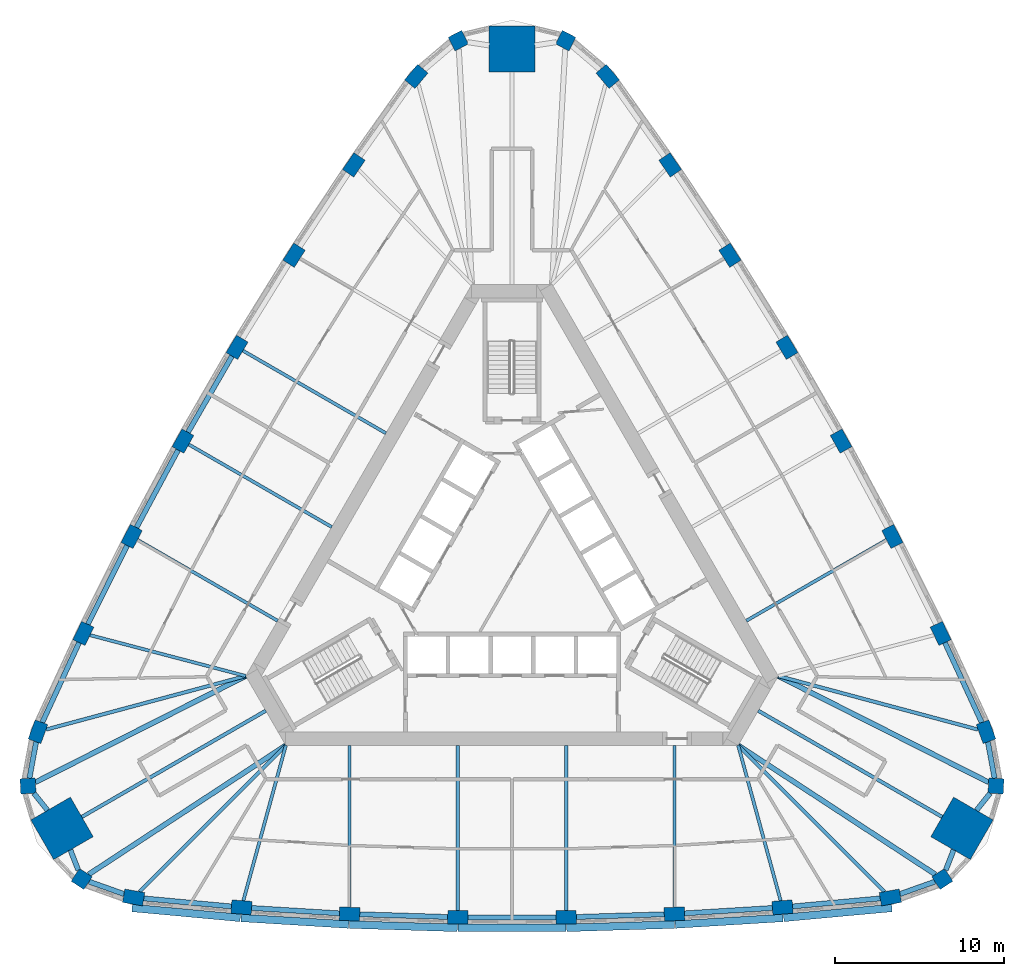
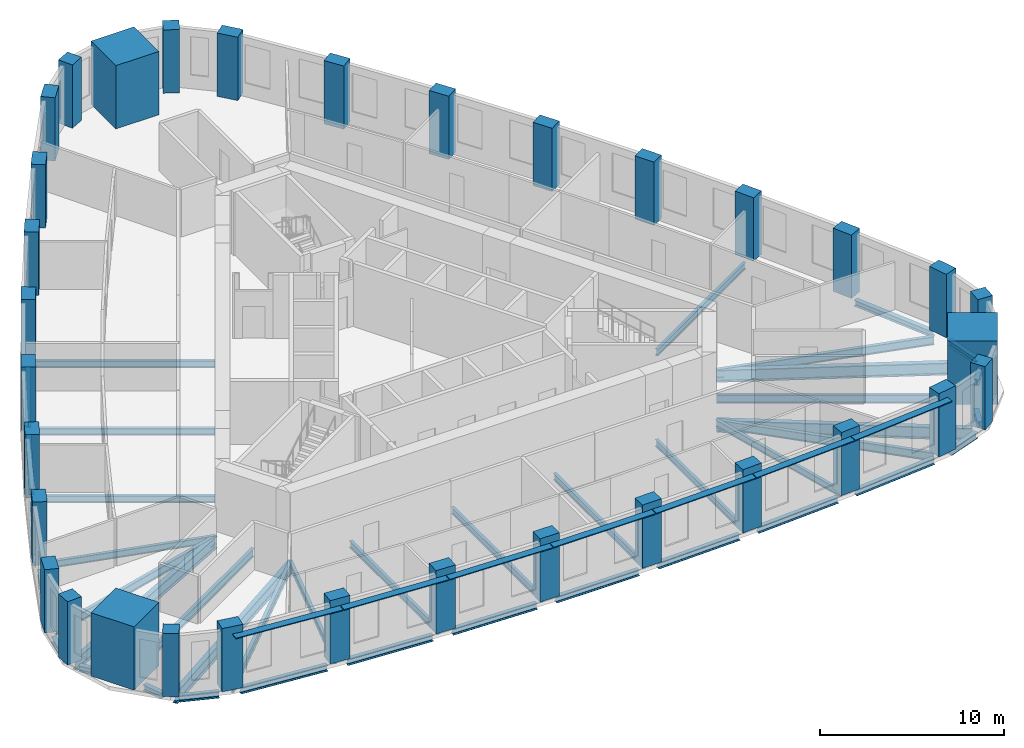
# One storey, part 1 of 10: 41 beams, 33 columns, 7 members.
"""IFC4 building model written with IfcOpenShell, lengths in metres."""

from ifc_helpers import new_model, si_unit, direction, frame, origin, origin_2d, place, context, subcontext, project, spatial, rectangle, i_section, extrude, material, material_profile, profile_set, type_object, element, save


model = new_model("IFC4")

# Units and contexts
model_context = context("Model", 3, precision=1e-05, world=origin(), true_north=direction((0.0, 1.0)))
body_context = subcontext(model_context, "Body", "Model", "MODEL_VIEW")
ifc_project = project(units=[si_unit("LENGTHUNIT", "METRE"), si_unit("AREAUNIT", "SQUARE_METRE"), si_unit("VOLUMEUNIT", "CUBIC_METRE"), si_unit("PLANEANGLEUNIT", "RADIAN"), si_unit("MASSUNIT", "GRAM", prefix="KILO")], contexts=[model_context])

# Site, building, storey
site_placement = place(None, origin())
site = spatial("IfcSite", under=ifc_project, at=site_placement, CompositionType="ELEMENT")
building_placement = place(site_placement, origin())
building = spatial("IfcBuilding", under=site, at=building_placement, Name="Mestral Congress Tower", CompositionType="ELEMENT")
storey_placement = place(building_placement, frame((0.0, 0.0, 162.60009765625)))
storey = spatial("IfcBuildingStorey", under=building, at=storey_placement, Name="L38", CompositionType="ELEMENT", Elevation=162.60009765625)

# Columns
ifc_material_1 = material(Name="Concrete C60/75", Category="concrete")
ifc_material_profile_1 = material_profile(ifc_material_1, rectangle(XDim=1.199951171875, YDim=0.800048828125, at=origin_2d()), Name="RC 1200x800")
ifc_profile_set_1 = profile_set([ifc_material_profile_1], Name="Concrete C60/75")
column_type_1 = type_object("IfcColumnType", Name="Column RC 1200x800 C60/75", PredefinedType="COLUMN", material=ifc_profile_set_1)
for number, where, z_axis, x_axis, name in (
    (1, (-22.357421875, -19.437255859375, 0.0), (0.0, 0.0, 1.0), (0.984571054206, -0.17498525429, 0.0), "COL-L38-C3-S00"),
    (2, (-15.984619140625, -20.0224609375, 0.0), (0.0, 0.0, 1.0), (0.997089725995, -0.076236987842, 0.0), "COL-L38-C3-S01"),
    (3, (-9.5966796875, -20.412841796875, 0.0), (0.0, 0.0, 1.0), (0.998951959915, -0.045770970953, 0.0), "COL-L38-C3-S02"),
    (4, (-3.199951171875, -20.608154296875, 0.0), (0.0, 0.0, 1.0), (0.999883524137, -0.015262311717, 0.0), "COL-L38-C3-S03"),
    (5, (3.199951171875, -20.608154296875, 0.0), (0.0, 0.0, 1.0), (0.999883524137, 0.015262311717, 0.0), "COL-L38-C3-S04"),
    (6, (9.5966796875, -20.412841796875, 0.0), (0.0, 0.0, 1.0), (0.998951959915, 0.045770970953, 0.0), "COL-L38-C3-S05"),
    (7, (15.984619140625, -20.0224609375, 0.0), (0.0, 0.0, 1.0), (0.997089725995, 0.076236987842, 0.0), "COL-L38-C3-S06"),
    (8, (22.357421875, -19.437255859375, 0.0), (0.0, 0.0, 1.0), (0.984571054206, 0.17498525429, 0.0), "COL-L38-C3-S07"),
    (9, (28.01171875, -9.6435546875, 0.0), (0.0, 0.0, 1.0), (-0.340743851601, 0.940156171918, 0.0), "COL-L38-C3-E00"),
    (10, (25.332275390625, -3.831787109375, 0.0), (0.0, 0.0, 1.0), (-0.432521694818, 0.901623526485, 0.0), "COL-L38-C3-E01"),
    (11, (22.476318359375, 1.8955078125, 0.0), (0.0, 0.0, 1.0), (-0.459837156356, 0.888003259923, 0.0), "COL-L38-C3-E02"),
    (12, (19.447265625, 7.532958984375, 0.0), (0.0, 0.0, 1.0), (-0.486724212401, 0.873555688587, 0.0), "COL-L38-C3-E03"),
    (13, (16.247314453125, 13.0751953125, 0.0), (0.0, 0.0, 1.0), (-0.513159311736, 0.85829337687, 0.0), "COL-L38-C3-E04"),
    (14, (12.8798828125, 18.517333984375, 0.0), (0.0, 0.0, 1.0), (-0.539114803559, 0.84223228897, 0.0), "COL-L38-C3-E05"),
    (15, (9.34765625, 23.854248046875, 0.0), (0.0, 0.0, 1.0), (-0.564568031177, 0.825386538643, 0.0), "COL-L38-C3-E06"),
    (16, (5.654296875, 29.080810546875, 0.0), (0.0, 0.0, 1.0), (-0.643827202606, 0.765170917629, 0.0), "COL-L38-C3-E07"),
    (17, (-5.654296875, 29.080810546875, 0.0), (0.0, 0.0, 1.0), (-0.643827202606, -0.765170917629, 0.0), "COL-L38-C3-W00"),
    (18, (-9.34765625, 23.854248046875, 0.0), (0.0, 0.0, 1.0), (-0.564568031177, -0.825386538643, 0.0), "COL-L38-C3-W01"),
    (19, (-12.8798828125, 18.517333984375, 0.0), (0.0, 0.0, 1.0), (-0.539114803559, -0.84223228897, 0.0), "COL-L38-C3-W02"),
    (20, (-16.247314453125, 13.0751953125, 0.0), (0.0, 0.0, 1.0), (-0.513159311736, -0.85829337687, 0.0), "COL-L38-C3-W03"),
    (21, (-19.447265625, 7.532958984375, 0.0), (0.0, 0.0, 1.0), (-0.486724212401, -0.873555688587, 0.0), "COL-L38-C3-W04"),
    (22, (-22.476318359375, 1.8955078125, 0.0), (0.0, 0.0, 1.0), (-0.459837156356, -0.888003259923, 0.0), "COL-L38-C3-W05"),
    (23, (-25.332275390625, -3.831787109375, 0.0), (0.0, 0.0, 1.0), (-0.432521694818, -0.901623526485, 0.0), "COL-L38-C3-W06"),
    (24, (-28.01171875, -9.6435546875, 0.0), (0.0, 0.0, 1.0), (-0.340743851601, -0.940156171918, 0.0), "COL-L38-C3-W07"),
):
    element("IfcColumn", number, at=place(storey_placement, frame(where, z_axis=z_axis, x_axis=x_axis)), inside=storey, type_object=column_type_1, Name=name, PredefinedType="COLUMN", context=body_context, shape_type="SweptSolid", body=[
        extrude(rectangle(XDim=1.199951171875, YDim=0.800048828125, at=origin_2d()), origin(), (0.0, 0.0, 1.0), 4.199951171875),
    ])
ifc_material_profile_2 = material_profile(ifc_material_1, rectangle(XDim=0.89990234375, YDim=0.89990234375, at=origin_2d()), Name="RC 900x900")
ifc_profile_set_2 = profile_set([ifc_material_profile_2], Name="Concrete C60/75")
column_type_2 = type_object("IfcColumnType", Name="Column RC 900x900 C60/75", PredefinedType="COLUMN", material=ifc_profile_set_2)
for number, where, z_axis, x_axis, name in (
    (25, (25.4296875, -18.34375, 0.0), (0.0, 0.0, 1.0), (0.838094050847, 0.545525766518, 0.0), "COL-L38-C3-SE1"),
    (26, (28.60107421875, -12.850830078125, 0.0), (0.0, 0.0, 1.0), (0.0533921468, 0.998573622053, 0.0), "COL-L38-C3-SE3"),
    (27, (3.17138671875, 31.194580078125, 0.0), (0.0, 0.0, 1.0), (-0.891486197647, 0.453047855535, 0.0), "COL-L38-C3-N1"),
    (28, (-3.17138671875, 31.194580078125, 0.0), (0.0, 0.0, 1.0), (-0.891486197647, -0.453047855535, 0.0), "COL-L38-C3-N3"),
    (29, (-28.60107421875, -12.850830078125, 0.0), (0.0, 0.0, 1.0), (0.0533921468, -0.998573622053, 0.0), "COL-L38-C3-SW1"),
    (30, (-25.4296875, -18.34375, 0.0), (0.0, 0.0, 1.0), (0.838094050847, -0.545525766518, 0.0), "COL-L38-C3-SW3"),
):
    element("IfcColumn", number, at=place(storey_placement, frame(where, z_axis=z_axis, x_axis=x_axis)), inside=storey, type_object=column_type_2, Name=name, PredefinedType="COLUMN", context=body_context, shape_type="SweptSolid", body=[
        extrude(rectangle(XDim=0.89990234375, YDim=0.89990234375, at=origin_2d()), origin(), (0.0, 0.0, 1.0), 4.199951171875),
    ])
ifc_material_2 = material(Name="Concrete C70/85", Category="concrete")
ifc_material_profile_3 = material_profile(ifc_material_2, rectangle(XDim=2.699951171875, YDim=2.699951171875, at=origin_2d()), Name="RC 2700x2700")
ifc_profile_set_3 = profile_set([ifc_material_profile_3], Name="Concrete C70/85")
column_type_3 = type_object("IfcColumnType", Name="Mega column RC 2700x2700 C70/85", PredefinedType="COLUMN", material=ifc_profile_set_3)
for number, where, z_axis, x_axis, name in (
    (31, (26.590576171875, -15.35205078125, 0.0), (0.0, 0.0, 1.0), (0.866025403784, -0.5, 0.0), "COL-L38-PY3-SE"),
    (32, (0.0, 30.7041015625, 0.0), (0.0, 0.0, 1.0), (0.0, 1.0, 0.0), "COL-L38-PY3-N"),
    (33, (-26.590576171875, -15.35205078125, 0.0), (0.0, 0.0, 1.0), (-0.866025403784, -0.5, 0.0), "COL-L38-PY3-SW"),
):
    element("IfcColumn", number, at=place(storey_placement, frame(where, z_axis=z_axis, x_axis=x_axis)), inside=storey, type_object=column_type_3, Name=name, PredefinedType="COLUMN", context=body_context, shape_type="SweptSolid", body=[
        extrude(rectangle(XDim=2.699951171875, YDim=2.699951171875, at=origin_2d()), origin(), (0.0, 0.0, 1.0), 4.199951171875),
    ])

# Members
ifc_material_3 = material(Name="Glazed ceramic", Category="masonry")
ifc_material_profile_4 = material_profile(ifc_material_3, rectangle(XDim=0.449951171875, YDim=0.06005859375, at=origin_2d()), Name="Ceramic blade 450 x 60")
ifc_profile_set_4 = profile_set([ifc_material_profile_4], Name="Glazed ceramic")
member_type = type_object("IfcMemberType", Name="Facade sunshade blade 450 x 60", PredefinedType="USERDEFINED", material=ifc_profile_set_4)
member_1_placement = place(storey_placement, frame((-22.451171875, -20.05615234375, 3.679931640625), z_axis=(0.995809919347, -0.091447277326, 0.0), x_axis=(0.091447277326, 0.995809919347, 0.0)))
element("IfcMember", 34, at=member_1_placement, inside=storey, type_object=member_type, Name="Sunshade F0-00", ObjectType="SUNSHADE", PredefinedType="USERDEFINED", context=body_context, shape_type="SweptSolid", body=[
    extrude(rectangle(XDim=0.449951171875, YDim=0.06005859375, at=origin_2d()), origin(), (0.0, 0.0, 1.0), 6.42333984375),
])
member_2_placement = place(storey_placement, frame((-16.009521484375, -20.647216796875, 3.679931640625), z_axis=(0.998138940399, -0.06098078107, 0.0), x_axis=(0.06098078107, 0.998138940399, 0.0)))
element("IfcMember", 35, at=member_2_placement, inside=storey, type_object=member_type, Name="Sunshade F0-01", ObjectType="SUNSHADE", PredefinedType="USERDEFINED", context=body_context, shape_type="SweptSolid", body=[
    extrude(rectangle(XDim=0.449951171875, YDim=0.06005859375, at=origin_2d()), origin(), (0.0, 0.0, 1.0), 6.373779296875),
])
for number, where, z_axis, x_axis, name in (
    (36, (-9.6025390625, -21.0380859375, 3.679931640625), (0.999535044007, -0.03049091343, 0.0), (0.03049091343, 0.999535044007, 0.0), "Sunshade F0-02"),
    (37, (-3.186767578125, -21.233154296875, 3.679931640625), (1.0, 0.0, 0.0), (0.0, 1.0, 0.0), "Sunshade F0-03"),
    (38, (3.23193359375, -21.232421875, 3.679931640625), (0.999535044007, 0.03049091343, 0.0), (-0.03049091343, 0.999535044007, 0.0), "Sunshade F0-04"),
):
    element("IfcMember", number, at=place(storey_placement, frame(where, z_axis=z_axis, x_axis=x_axis)), inside=storey, type_object=member_type, Name=name, ObjectType="SUNSHADE", PredefinedType="USERDEFINED", context=body_context, shape_type="SweptSolid", body=[
        extrude(rectangle(XDim=0.449951171875, YDim=0.06005859375, at=origin_2d()), origin(), (0.0, 0.0, 1.0), 6.37353515625),
    ])
member_3_placement = place(storey_placement, frame((9.647705078125, -21.035888671875, 3.679931640625), z_axis=(0.998138940399, 0.06098078107, 0.0), x_axis=(-0.06098078107, 0.998138940399, 0.0)))
element("IfcMember", 39, at=member_3_placement, inside=storey, type_object=member_type, Name="Sunshade F0-05", ObjectType="SUNSHADE", PredefinedType="USERDEFINED", context=body_context, shape_type="SweptSolid", body=[
    extrude(rectangle(XDim=0.449951171875, YDim=0.06005859375, at=origin_2d()), origin(), (0.0, 0.0, 1.0), 6.373779296875),
])
member_4_placement = place(storey_placement, frame((16.0546875, -20.6435546875, 3.679931640625), z_axis=(0.995809919347, 0.091447277326, 0.0), x_axis=(-0.091447277326, 0.995809919347, 0.0)))
element("IfcMember", 40, at=member_4_placement, inside=storey, type_object=member_type, Name="Sunshade F0-06", ObjectType="SUNSHADE", PredefinedType="USERDEFINED", context=body_context, shape_type="SweptSolid", body=[
    extrude(rectangle(XDim=0.449951171875, YDim=0.06005859375, at=origin_2d()), origin(), (0.0, 0.0, 1.0), 6.42333984375),
])

# Beams
ifc_material_4 = material(Name="Steel S355", Category="steel")
ifc_material_profile_5 = material_profile(ifc_material_4, i_section(OverallWidth=0.300048828125, OverallDepth=0.800048828125, WebThickness=0.017578125, FlangeThickness=0.032958984375, FilletRadius=0.030029296875, at=origin_2d()), Name="HEB 800")
ifc_profile_set_5 = profile_set([ifc_material_profile_5], Name="Steel S355")
beam_type_1 = type_object("IfcBeamType", Name="Floor beam HEB 800 S355", PredefinedType="BEAM", material=ifc_profile_set_5)
beam_1_placement = place(storey_placement, frame((25.018310546875, -18.07470703125, -0.650146484375), z_axis=(-0.836780237492, 0.547538888247, 0.0), x_axis=(-0.547538888247, -0.836780237492, 0.0)))
element("IfcBeam", 41, at=beam_1_placement, inside=storey, type_object=beam_type_1, Name="BM-L38-RB3-SE1", PredefinedType="BEAM", context=body_context, shape_type="SweptSolid", body=[
    extrude(i_section(OverallWidth=0.300048828125, OverallDepth=0.800048828125, WebThickness=0.017578125, FlangeThickness=0.032958984375, FilletRadius=0.030029296875, at=origin_2d()), origin(), (0.0, 0.0, 1.0), 13.925537109375),
])
for number, where, z_axis, x_axis, name in (
    (42, (28.162109375, -12.629150390625, -0.650146484375), (-0.892568118133, 0.450912579656, 0.0), (-0.450912579656, -0.892568118133, 0.0), "BM-L38-RB3-SE3"),
    (43, (-28.162109375, -12.629150390625, -0.650146484375), (0.892568118133, 0.450912579656, 0.0), (-0.450912579656, 0.892568118133, 0.0), "BM-L38-RB3-SW1"),
):
    element("IfcBeam", number, at=place(storey_placement, frame(where, z_axis=z_axis, x_axis=x_axis)), inside=storey, type_object=beam_type_1, Name=name, PredefinedType="BEAM", context=body_context, shape_type="SweptSolid", body=[
        extrude(i_section(OverallWidth=0.300048828125, OverallDepth=0.800048828125, WebThickness=0.017578125, FlangeThickness=0.032958984375, FilletRadius=0.030029296875, at=origin_2d()), origin(), (0.0, 0.0, 1.0), 13.92529296875),
    ])
beam_2_placement = place(storey_placement, frame((-25.018310546875, -18.07470703125, -0.650146484375), z_axis=(0.836780237492, 0.547538888247, 0.0), x_axis=(-0.547538888247, 0.836780237492, 0.0)))
element("IfcBeam", 44, at=beam_2_placement, inside=storey, type_object=beam_type_1, Name="BM-L38-RB3-SW3", PredefinedType="BEAM", context=body_context, shape_type="SweptSolid", body=[
    extrude(i_section(OverallWidth=0.300048828125, OverallDepth=0.800048828125, WebThickness=0.017578125, FlangeThickness=0.032958984375, FilletRadius=0.030029296875, at=origin_2d()), origin(), (0.0, 0.0, 1.0), 13.925537109375),
])
ifc_material_profile_6 = material_profile(ifc_material_4, i_section(OverallWidth=0.18994140625, OverallDepth=0.449951171875, WebThickness=0.009521484375, FlangeThickness=0.0146484375, FilletRadius=0.02099609375, at=origin_2d()), Name="IPE 450")
ifc_profile_set_6 = profile_set([ifc_material_profile_6], Name="Steel S355")
beam_type_2 = type_object("IfcBeamType", Name="Floor beam IPE 450 S355", PredefinedType="BEAM", material=ifc_profile_set_6)
beam_3_placement = place(storey_placement, frame((-15.876953125, -19.62939453125, -0.47509765625), z_axis=(0.263874900873, 0.964556912105, 0.0), x_axis=(-0.964556912105, 0.263874900873, 0.0)))
element("IfcBeam", 45, at=beam_3_placement, inside=storey, type_object=beam_type_2, Name="BM-L38-RB3-S01", PredefinedType="BEAM", context=body_context, shape_type="SweptSolid", body=[
    extrude(i_section(OverallWidth=0.18994140625, OverallDepth=0.449951171875, WebThickness=0.009521484375, FlangeThickness=0.0146484375, FilletRadius=0.02099609375, at=origin_2d()), origin(), (0.0, 0.0, 1.0), 9.516845703125),
])
beam_4_placement = place(storey_placement, frame((-9.5966796875, -20.012451171875, -0.47509765625), z_axis=(0.0, 1.0, 0.0), x_axis=(-1.0, 0.0, 0.0)))
element("IfcBeam", 46, at=beam_4_placement, inside=storey, type_object=beam_type_2, Name="BM-L38-RB3-S02", PredefinedType="BEAM", context=body_context, shape_type="SweptSolid", body=[
    extrude(i_section(OverallWidth=0.18994140625, OverallDepth=0.449951171875, WebThickness=0.009521484375, FlangeThickness=0.0146484375, FilletRadius=0.02099609375, at=origin_2d()), origin(), (0.0, 0.0, 1.0), 9.5625),
])
for number, where, z_axis, x_axis, name in (
    (47, (-3.199951171875, -20.208251953125, -0.47509765625), (0.0, 1.0, 0.0), (-1.0, 0.0, 0.0), "BM-L38-RB3-S03"),
    (48, (3.199951171875, -20.208251953125, -0.47509765625), (0.0, 1.0, 0.0), (-1.0, 0.0, 0.0), "BM-L38-RB3-S04"),
):
    element("IfcBeam", number, at=place(storey_placement, frame(where, z_axis=z_axis, x_axis=x_axis)), inside=storey, type_object=beam_type_2, Name=name, PredefinedType="BEAM", context=body_context, shape_type="SweptSolid", body=[
        extrude(i_section(OverallWidth=0.18994140625, OverallDepth=0.449951171875, WebThickness=0.009521484375, FlangeThickness=0.0146484375, FilletRadius=0.02099609375, at=origin_2d()), origin(), (0.0, 0.0, 1.0), 9.75830078125),
    ])
beam_5_placement = place(storey_placement, frame((9.5966796875, -20.012451171875, -0.47509765625), z_axis=(0.0, 1.0, 0.0), x_axis=(-1.0, 0.0, 0.0)))
element("IfcBeam", 49, at=beam_5_placement, inside=storey, type_object=beam_type_2, Name="BM-L38-RB3-S05", PredefinedType="BEAM", context=body_context, shape_type="SweptSolid", body=[
    extrude(i_section(OverallWidth=0.18994140625, OverallDepth=0.449951171875, WebThickness=0.009521484375, FlangeThickness=0.0146484375, FilletRadius=0.02099609375, at=origin_2d()), origin(), (0.0, 0.0, 1.0), 9.5625),
])
beam_6_placement = place(storey_placement, frame((15.876953125, -19.62939453125, -0.47509765625), z_axis=(-0.263874900873, 0.964556912105, 0.0), x_axis=(-0.964556912105, -0.263874900873, 0.0)))
element("IfcBeam", 50, at=beam_6_placement, inside=storey, type_object=beam_type_2, Name="BM-L38-RB3-S06", PredefinedType="BEAM", context=body_context, shape_type="SweptSolid", body=[
    extrude(i_section(OverallWidth=0.18994140625, OverallDepth=0.449951171875, WebThickness=0.009521484375, FlangeThickness=0.0146484375, FilletRadius=0.02099609375, at=origin_2d()), origin(), (0.0, 0.0, 1.0), 9.516845703125),
])
beam_7_placement = place(storey_placement, frame((22.129638671875, 1.6953125, -0.47509765625), z_axis=(-0.866022320763, -0.500005339912, 0.0), x_axis=(0.500005339912, -0.866022320763, 0.0)))
element("IfcBeam", 51, at=beam_7_placement, inside=storey, type_object=beam_type_2, Name="BM-L38-RB3-E02", PredefinedType="BEAM", context=body_context, shape_type="SweptSolid", body=[
    extrude(i_section(OverallWidth=0.18994140625, OverallDepth=0.449951171875, WebThickness=0.009521484375, FlangeThickness=0.0146484375, FilletRadius=0.02099609375, at=origin_2d()), origin(), (0.0, 0.0, 1.0), 9.5625),
])
beam_8_placement = place(storey_placement, frame((-15.90087890625, 12.875244140625, -0.47509765625), z_axis=(0.866025182435, -0.500000383388, 0.0), x_axis=(0.500000383388, 0.866025182435, 0.0)))
element("IfcBeam", 52, at=beam_8_placement, inside=storey, type_object=beam_type_2, Name="BM-L38-RB3-W03", PredefinedType="BEAM", context=body_context, shape_type="SweptSolid", body=[
    extrude(i_section(OverallWidth=0.18994140625, OverallDepth=0.449951171875, WebThickness=0.009521484375, FlangeThickness=0.0146484375, FilletRadius=0.02099609375, at=origin_2d()), origin(), (0.0, 0.0, 1.0), 9.75830078125),
])
beam_9_placement = place(storey_placement, frame((-19.100830078125, 7.332763671875, -0.47509765625), z_axis=(0.866036015824, -0.499981618958, 0.0), x_axis=(0.499981618958, 0.866036015824, 0.0)))
element("IfcBeam", 53, at=beam_9_placement, inside=storey, type_object=beam_type_2, Name="BM-L38-RB3-W04", PredefinedType="BEAM", context=body_context, shape_type="SweptSolid", body=[
    extrude(i_section(OverallWidth=0.18994140625, OverallDepth=0.449951171875, WebThickness=0.009521484375, FlangeThickness=0.0146484375, FilletRadius=0.02099609375, at=origin_2d()), origin(), (0.0, 0.0, 1.0), 9.758056640625),
])
beam_10_placement = place(storey_placement, frame((-22.129638671875, 1.6953125, -0.47509765625), z_axis=(0.866022320763, -0.500005339912, 0.0), x_axis=(0.500005339912, 0.866022320763, 0.0)))
element("IfcBeam", 54, at=beam_10_placement, inside=storey, type_object=beam_type_2, Name="BM-L38-RB3-W05", PredefinedType="BEAM", context=body_context, shape_type="SweptSolid", body=[
    extrude(i_section(OverallWidth=0.18994140625, OverallDepth=0.449951171875, WebThickness=0.009521484375, FlangeThickness=0.0146484375, FilletRadius=0.02099609375, at=origin_2d()), origin(), (0.0, 0.0, 1.0), 9.5625),
])
beam_11_placement = place(storey_placement, frame((-24.938232421875, -3.93505859375, -0.47509765625), z_axis=(0.967265999603, -0.253764627187, 0.0), x_axis=(0.253764627187, 0.967265999603, 0.0)))
element("IfcBeam", 55, at=beam_11_placement, inside=storey, type_object=beam_type_2, Name="BM-L38-RB3-W06", PredefinedType="BEAM", context=body_context, shape_type="SweptSolid", body=[
    extrude(i_section(OverallWidth=0.18994140625, OverallDepth=0.449951171875, WebThickness=0.009521484375, FlangeThickness=0.0146484375, FilletRadius=0.02099609375, at=origin_2d()), origin(), (0.0, 0.0, 1.0), 9.516845703125),
])
ifc_material_profile_7 = material_profile(ifc_material_4, i_section(OverallWidth=0.2099609375, OverallDepth=0.550048828125, WebThickness=0.010986328125, FlangeThickness=0.01708984375, FilletRadius=0.02392578125, at=origin_2d()), Name="IPE 550")
ifc_profile_set_7 = profile_set([ifc_material_profile_7], Name="Steel S355")
beam_type_3 = type_object("IfcBeamType", Name="Floor beam IPE 550 S355", PredefinedType="BEAM", material=ifc_profile_set_7)
for number, where, z_axis, x_axis, name in (
    (56, (-22.01220703125, -19.09228515625, -0.525146484375), (0.707276510369, 0.706937011254, 0.0), (-0.706937011254, 0.707276510369, 0.0), "BM-L38-RB3-S00"),
    (57, (22.01220703125, -19.09228515625, -0.525146484375), (-0.707276510369, 0.706937011254, 0.0), (-0.706937011254, -0.707276510369, 0.0), "BM-L38-RB3-S07"),
):
    element("IfcBeam", number, at=place(storey_placement, frame(where, z_axis=z_axis, x_axis=x_axis)), inside=storey, type_object=beam_type_3, Name=name, PredefinedType="BEAM", context=body_context, shape_type="SweptSolid", body=[
        extrude(i_section(OverallWidth=0.2099609375, OverallDepth=0.550048828125, WebThickness=0.010986328125, FlangeThickness=0.01708984375, FilletRadius=0.02392578125, at=origin_2d()), origin(), (0.0, 0.0, 1.0), 12.22509765625),
    ])
beam_12_placement = place(storey_placement, frame((25.42138671875, -14.677001953125, -0.525146484375), z_axis=(-0.866034999462, 0.49998337943, 0.0), x_axis=(-0.49998337943, -0.866034999462, 0.0)))
element("IfcBeam", 58, at=beam_12_placement, inside=storey, type_object=beam_type_3, Name="BM-L38-RB3-SE", PredefinedType="BEAM", context=body_context, shape_type="SweptSolid", body=[
    extrude(i_section(OverallWidth=0.2099609375, OverallDepth=0.550048828125, WebThickness=0.010986328125, FlangeThickness=0.01708984375, FilletRadius=0.02392578125, at=origin_2d()), origin(), (0.0, 0.0, 1.0), 12.55419921875),
])
for number, where, z_axis, x_axis, name in (
    (59, (27.54052734375, -9.51708984375, -0.525146484375), (-0.965861364708, 0.259059499276, 0.0), (-0.259059499276, -0.965861364708, 0.0), "BM-L38-RB3-E00"),
    (60, (-27.54052734375, -9.51708984375, -0.525146484375), (0.965861364708, 0.259059499276, 0.0), (-0.259059499276, 0.965861364708, 0.0), "BM-L38-RB3-W07"),
):
    element("IfcBeam", number, at=place(storey_placement, frame(where, z_axis=z_axis, x_axis=x_axis)), inside=storey, type_object=beam_type_3, Name=name, PredefinedType="BEAM", context=body_context, shape_type="SweptSolid", body=[
        extrude(i_section(OverallWidth=0.2099609375, OverallDepth=0.550048828125, WebThickness=0.010986328125, FlangeThickness=0.01708984375, FilletRadius=0.02392578125, at=origin_2d()), origin(), (0.0, 0.0, 1.0), 12.224853515625),
    ])
beam_13_placement = place(storey_placement, frame((-25.42138671875, -14.677001953125, -0.525146484375), z_axis=(0.866034999462, 0.49998337943, 0.0), x_axis=(-0.49998337943, 0.866034999462, 0.0)))
element("IfcBeam", 61, at=beam_13_placement, inside=storey, type_object=beam_type_3, Name="BM-L38-RB3-SW", PredefinedType="BEAM", context=body_context, shape_type="SweptSolid", body=[
    extrude(i_section(OverallWidth=0.2099609375, OverallDepth=0.550048828125, WebThickness=0.010986328125, FlangeThickness=0.01708984375, FilletRadius=0.02392578125, at=origin_2d()), origin(), (0.0, 0.0, 1.0), 12.55419921875),
])
ifc_material_profile_8 = material_profile(ifc_material_4, i_section(OverallWidth=0.300048828125, OverallDepth=0.389892578125, WebThickness=0.010986328125, FlangeThickness=0.01904296875, FilletRadius=0.027099609375, at=origin_2d()), Name="HEA 400")
ifc_profile_set_8 = profile_set([ifc_material_profile_8], Name="Steel S355")
beam_type_4 = type_object("IfcBeamType", Name="Spandrel beam HEA 400 S355", PredefinedType="BEAM", material=ifc_profile_set_8)
beam_14_placement = place(storey_placement, frame((-21.7578125, -19.4921875, -0.445068359375), z_axis=(0.995809233617, -0.091454744238, 0.0), x_axis=(0.091454744238, 0.995809233617, 0.0)))
element("IfcBeam", 62, at=beam_14_placement, inside=storey, type_object=beam_type_4, Name="SP-L38-SB3-S00", PredefinedType="BEAM", context=body_context, shape_type="SweptSolid", body=[
    extrude(i_section(OverallWidth=0.300048828125, OverallDepth=0.389892578125, WebThickness=0.010986328125, FlangeThickness=0.01904296875, FilletRadius=0.027099609375, at=origin_2d()), origin(), (0.0, 0.0, 1.0), 5.197509765625),
])
beam_15_placement = place(storey_placement, frame((-15.385498046875, -20.05908203125, -0.445068359375), z_axis=(0.998138215809, -0.060992640057, 0.0), x_axis=(0.060992640057, 0.998138215809, 0.0)))
element("IfcBeam", 63, at=beam_15_placement, inside=storey, type_object=beam_type_4, Name="SP-L38-SB3-S01", PredefinedType="BEAM", context=body_context, shape_type="SweptSolid", body=[
    extrude(i_section(OverallWidth=0.300048828125, OverallDepth=0.389892578125, WebThickness=0.010986328125, FlangeThickness=0.01904296875, FilletRadius=0.027099609375, at=origin_2d()), origin(), (0.0, 0.0, 1.0), 5.19970703125),
])
beam_16_placement = place(storey_placement, frame((-8.996826171875, -20.43115234375, -0.445068359375), z_axis=(0.999534130554, -0.030520842996, 0.0), x_axis=(0.030520842996, 0.999534130554, 0.0)))
element("IfcBeam", 64, at=beam_16_placement, inside=storey, type_object=beam_type_4, Name="SP-L38-SB3-S02", PredefinedType="BEAM", context=body_context, shape_type="SweptSolid", body=[
    extrude(i_section(OverallWidth=0.300048828125, OverallDepth=0.389892578125, WebThickness=0.010986328125, FlangeThickness=0.01904296875, FilletRadius=0.027099609375, at=origin_2d()), origin(), (0.0, 0.0, 1.0), 5.199462890625),
])
beam_17_placement = place(storey_placement, frame((-2.599853515625, -20.608154296875, -0.445068359375), z_axis=(1.0, 0.0, 0.0), x_axis=(0.0, 1.0, 0.0)))
element("IfcBeam", 65, at=beam_17_placement, inside=storey, type_object=beam_type_4, Name="SP-L38-SB3-S03", PredefinedType="BEAM", context=body_context, shape_type="SweptSolid", body=[
    extrude(i_section(OverallWidth=0.300048828125, OverallDepth=0.389892578125, WebThickness=0.010986328125, FlangeThickness=0.01904296875, FilletRadius=0.027099609375, at=origin_2d()), origin(), (0.0, 0.0, 1.0), 5.19970703125),
])
beam_18_placement = place(storey_placement, frame((3.7998046875, -20.58984375, -0.445068359375), z_axis=(0.999534130554, 0.030520842996, 0.0), x_axis=(-0.030520842996, 0.999534130554, 0.0)))
element("IfcBeam", 66, at=beam_18_placement, inside=storey, type_object=beam_type_4, Name="SP-L38-SB3-S04", PredefinedType="BEAM", context=body_context, shape_type="SweptSolid", body=[
    extrude(i_section(OverallWidth=0.300048828125, OverallDepth=0.389892578125, WebThickness=0.010986328125, FlangeThickness=0.01904296875, FilletRadius=0.027099609375, at=origin_2d()), origin(), (0.0, 0.0, 1.0), 5.199462890625),
])
beam_19_placement = place(storey_placement, frame((10.195556640625, -20.376220703125, -0.445068359375), z_axis=(0.998138215809, 0.060992640057, 0.0), x_axis=(-0.060992640057, 0.998138215809, 0.0)))
element("IfcBeam", 67, at=beam_19_placement, inside=storey, type_object=beam_type_4, Name="SP-L38-SB3-S05", PredefinedType="BEAM", context=body_context, shape_type="SweptSolid", body=[
    extrude(i_section(OverallWidth=0.300048828125, OverallDepth=0.389892578125, WebThickness=0.010986328125, FlangeThickness=0.01904296875, FilletRadius=0.027099609375, at=origin_2d()), origin(), (0.0, 0.0, 1.0), 5.19970703125),
])
beam_20_placement = place(storey_placement, frame((16.58203125, -19.967529296875, -0.445068359375), z_axis=(0.995809233617, 0.091454744238, 0.0), x_axis=(-0.091454744238, 0.995809233617, 0.0)))
element("IfcBeam", 68, at=beam_20_placement, inside=storey, type_object=beam_type_4, Name="SP-L38-SB3-S06", PredefinedType="BEAM", context=body_context, shape_type="SweptSolid", body=[
    extrude(i_section(OverallWidth=0.300048828125, OverallDepth=0.389892578125, WebThickness=0.010986328125, FlangeThickness=0.01904296875, FilletRadius=0.027099609375, at=origin_2d()), origin(), (0.0, 0.0, 1.0), 5.197509765625),
])
beam_21_placement = place(storey_placement, frame((22.9306640625, -19.233154296875, -0.445068359375), z_axis=(0.942124718118, 0.33526260679, 0.0), x_axis=(-0.33526260679, 0.942124718118, 0.0)))
element("IfcBeam", 69, at=beam_21_placement, inside=storey, type_object=beam_type_4, Name="SP-L38-SB3-S07", PredefinedType="BEAM", context=body_context, shape_type="SweptSolid", body=[
    extrude(i_section(OverallWidth=0.300048828125, OverallDepth=0.389892578125, WebThickness=0.010986328125, FlangeThickness=0.01904296875, FilletRadius=0.027099609375, at=origin_2d()), origin(), (0.0, 0.0, 1.0), 2.189697265625),
])
for number, where, z_axis, x_axis, name in (
    (70, (25.630126953125, -17.826904296875, -0.445068359375), (0.361897583915, 0.932217860136, 0.0), (-0.932217860136, 0.361897583915, 0.0), "SP-L38-SB3-SE1"),
    (71, (27.446533203125, -14.287353515625, -0.445068359375), (0.626403443736, 0.779499022242, 0.0), (-0.779499022242, 0.626403443736, 0.0), "SP-L38-SB3-SE"),
):
    element("IfcBeam", number, at=place(storey_placement, frame(where, z_axis=z_axis, x_axis=x_axis)), inside=storey, type_object=beam_type_4, Name=name, PredefinedType="BEAM", context=body_context, shape_type="SweptSolid", body=[
        extrude(i_section(OverallWidth=0.300048828125, OverallDepth=0.389892578125, WebThickness=0.010986328125, FlangeThickness=0.01904296875, FilletRadius=0.027099609375, at=origin_2d()), origin(), (0.0, 0.0, 1.0), 1.28857421875),
    ])
beam_22_placement = place(storey_placement, frame((28.517333984375, -12.395751953125, -0.445068359375), z_axis=(-0.18061190167, 0.983554442304, 0.0), x_axis=(-0.983554442304, -0.18061190167, 0.0)))
element("IfcBeam", 72, at=beam_22_placement, inside=storey, type_object=beam_type_4, Name="SP-L38-SB3-SE3", PredefinedType="BEAM", context=body_context, shape_type="SweptSolid", body=[
    extrude(i_section(OverallWidth=0.300048828125, OverallDepth=0.389892578125, WebThickness=0.010986328125, FlangeThickness=0.01904296875, FilletRadius=0.027099609375, at=origin_2d()), origin(), (0.0, 0.0, 1.0), 2.18994140625),
])
beam_23_placement = place(storey_placement, frame((27.759765625, -9.0966796875, -0.445068359375), z_axis=(-0.418712613032, 0.908118796022, 0.0), x_axis=(-0.908118796022, -0.418712613032, 0.0)))
element("IfcBeam", 73, at=beam_23_placement, inside=storey, type_object=beam_type_4, Name="SP-L38-SB3-E00", PredefinedType="BEAM", context=body_context, shape_type="SweptSolid", body=[
    extrude(i_section(OverallWidth=0.300048828125, OverallDepth=0.389892578125, WebThickness=0.010986328125, FlangeThickness=0.01904296875, FilletRadius=0.027099609375, at=origin_2d()), origin(), (0.0, 0.0, 1.0), 5.197509765625),
])
for number, where, z_axis, x_axis, name in (
    (74, (-16.54736328125, 12.5556640625, -0.445068359375), (-0.499992051641, -0.866029992723, 0.0), (0.866029992723, -0.499992051641, 0.0), "SP-L38-SB3-W03"),
    (75, (-19.731201171875, 7.00439453125, -0.445068359375), (-0.473332458078, -0.880883865291, 0.0), (0.880883865291, -0.473332458078, 0.0), "SP-L38-SB3-W04"),
):
    element("IfcBeam", number, at=place(storey_placement, frame(where, z_axis=z_axis, x_axis=x_axis)), inside=storey, type_object=beam_type_4, Name=name, PredefinedType="BEAM", context=body_context, shape_type="SweptSolid", body=[
        extrude(i_section(OverallWidth=0.300048828125, OverallDepth=0.389892578125, WebThickness=0.010986328125, FlangeThickness=0.01904296875, FilletRadius=0.027099609375, at=origin_2d()), origin(), (0.0, 0.0, 1.0), 5.19970703125),
    ])
beam_24_placement = place(storey_placement, frame((-22.744140625, 1.3583984375, -0.445068359375), z_axis=(-0.446255467462, -0.894905613884, 0.0), x_axis=(0.894905613884, -0.446255467462, 0.0)))
element("IfcBeam", 76, at=beam_24_placement, inside=storey, type_object=beam_type_4, Name="SP-L38-SB3-W05", PredefinedType="BEAM", context=body_context, shape_type="SweptSolid", body=[
    extrude(i_section(OverallWidth=0.300048828125, OverallDepth=0.389892578125, WebThickness=0.010986328125, FlangeThickness=0.01904296875, FilletRadius=0.027099609375, at=origin_2d()), origin(), (0.0, 0.0, 1.0), 5.199462890625),
])
beam_25_placement = place(storey_placement, frame((-25.58349609375, -4.376708984375, -0.445068359375), z_axis=(-0.418712613032, -0.908118796022, 0.0), x_axis=(0.908118796022, -0.418712613032, 0.0)))
element("IfcBeam", 77, at=beam_25_placement, inside=storey, type_object=beam_type_4, Name="SP-L38-SB3-W06", PredefinedType="BEAM", context=body_context, shape_type="SweptSolid", body=[
    extrude(i_section(OverallWidth=0.300048828125, OverallDepth=0.389892578125, WebThickness=0.010986328125, FlangeThickness=0.01904296875, FilletRadius=0.027099609375, at=origin_2d()), origin(), (0.0, 0.0, 1.0), 5.197509765625),
])
beam_26_placement = place(storey_placement, frame((-28.121826171875, -10.241943359375, -0.445068359375), z_axis=(-0.18061190167, -0.983554442304, 0.0), x_axis=(0.983554442304, -0.18061190167, 0.0)))
element("IfcBeam", 78, at=beam_26_placement, inside=storey, type_object=beam_type_4, Name="SP-L38-SB3-W07", PredefinedType="BEAM", context=body_context, shape_type="SweptSolid", body=[
    extrude(i_section(OverallWidth=0.300048828125, OverallDepth=0.389892578125, WebThickness=0.010986328125, FlangeThickness=0.01904296875, FilletRadius=0.027099609375, at=origin_2d()), origin(), (0.0, 0.0, 1.0), 2.18994140625),
])
for number, where, z_axis, x_axis, name in (
    (79, (-28.253662109375, -13.282958984375, -0.445068359375), (0.626403443736, -0.779499022242, 0.0), (0.779499022242, 0.626403443736, 0.0), "SP-L38-SB3-SW1"),
    (80, (-26.096435546875, -16.625732421875, -0.445068359375), (0.361897583915, -0.932217860136, 0.0), (0.932217860136, 0.361897583915, 0.0), "SP-L38-SB3-SW"),
):
    element("IfcBeam", number, at=place(storey_placement, frame(where, z_axis=z_axis, x_axis=x_axis)), inside=storey, type_object=beam_type_4, Name=name, PredefinedType="BEAM", context=body_context, shape_type="SweptSolid", body=[
        extrude(i_section(OverallWidth=0.300048828125, OverallDepth=0.389892578125, WebThickness=0.010986328125, FlangeThickness=0.01904296875, FilletRadius=0.027099609375, at=origin_2d()), origin(), (0.0, 0.0, 1.0), 1.28857421875),
    ])
beam_27_placement = place(storey_placement, frame((-24.99365234375, -18.4990234375, -0.445068359375), z_axis=(0.942124718118, -0.33526260679, 0.0), x_axis=(0.33526260679, 0.942124718118, 0.0)))
element("IfcBeam", 81, at=beam_27_placement, inside=storey, type_object=beam_type_4, Name="SP-L38-SB3-SW3", PredefinedType="BEAM", context=body_context, shape_type="SweptSolid", body=[
    extrude(i_section(OverallWidth=0.300048828125, OverallDepth=0.389892578125, WebThickness=0.010986328125, FlangeThickness=0.01904296875, FilletRadius=0.027099609375, at=origin_2d()), origin(), (0.0, 0.0, 1.0), 2.189697265625),
])

save(model, "model.ifc")
